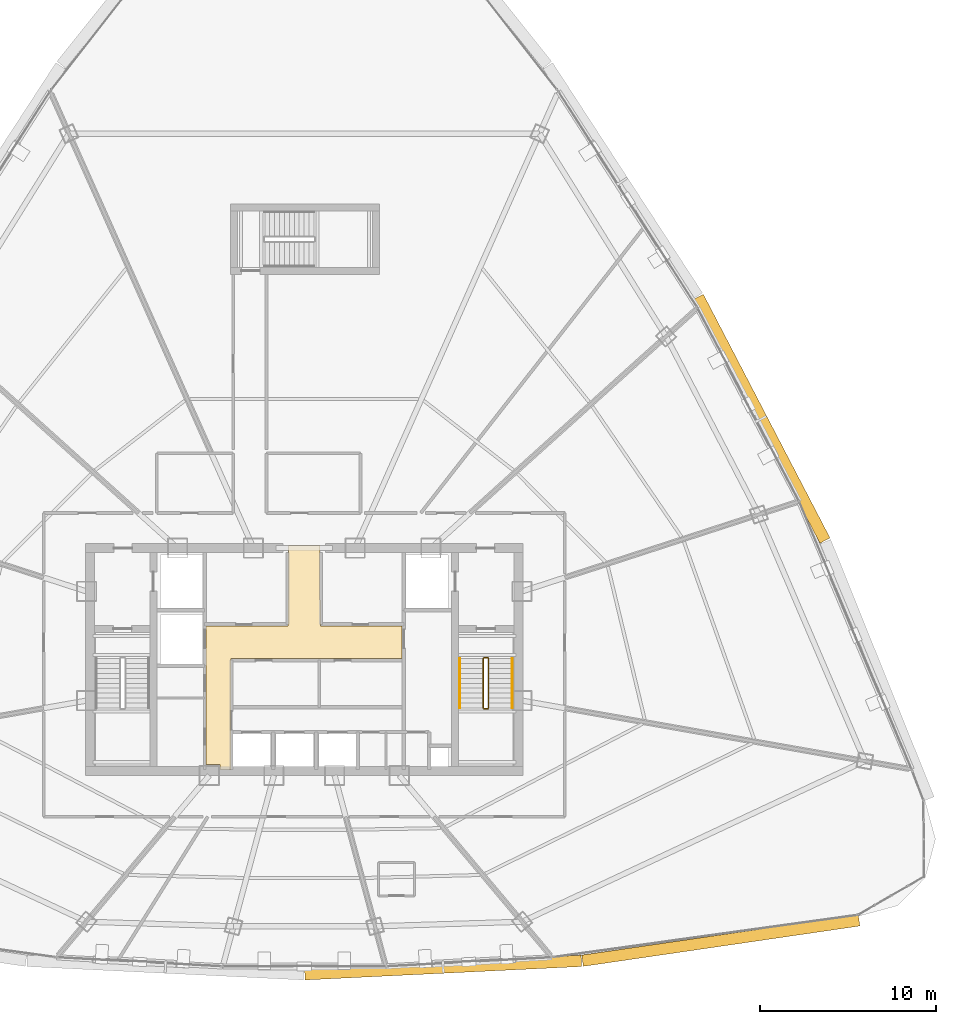
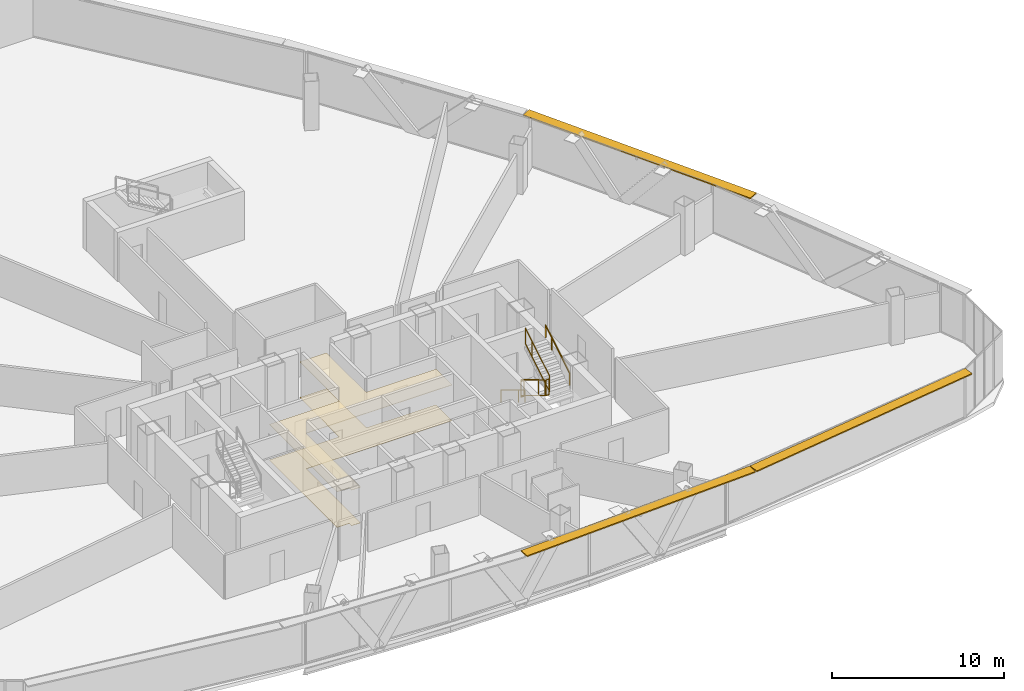
# One storey, part 34 of 36: 6 railings, 3 shading devices, 2 coverings.
"""IFC4 building model written with IfcOpenShell, lengths in metres."""

from ifc_helpers import new_model, si_unit, direction, frame, origin, origin_2d, place, context, subcontext, project, spatial, polyline, rectangle, outline, extrude, source, transform, mapped, material, layer, layer_set, type_object, element, save


model = new_model("IFC4")

# Units and contexts
model_context = context("Model", 3, precision=1e-05, world=origin(), true_north=direction((0.0, 1.0)))
body_context = subcontext(model_context, "Body", "Model", "MODEL_VIEW")
ifc_project = project(units=[si_unit("LENGTHUNIT", "METRE"), si_unit("AREAUNIT", "SQUARE_METRE"), si_unit("VOLUMEUNIT", "CUBIC_METRE"), si_unit("PLANEANGLEUNIT", "RADIAN"), si_unit("MASSUNIT", "GRAM", prefix="KILO"), si_unit("THERMODYNAMICTEMPERATUREUNIT", "KELVIN"), si_unit("POWERUNIT", "WATT")], contexts=[model_context])

# Site, building, storey
site_placement = place(None, origin())
site = spatial("IfcSite", under=ifc_project, at=site_placement, CompositionType="ELEMENT")
building_placement = place(site_placement, origin())
building = spatial("IfcBuilding", under=site, at=building_placement, Name="Yunzhuo Pagoda Commons", CompositionType="ELEMENT")
storey_placement = place(building_placement, frame((0.0, 0.0, 248.260009765625)))
storey = spatial("IfcBuildingStorey", under=building, at=storey_placement, Name="L62", CompositionType="ELEMENT", Elevation=248.260009765625)

# Coverings
ifc_material_1 = material(Name="Perforated gypsum acoustic ceiling tile")
ifc_layer_1 = layer(ifc_material_1, 0.030029296875)
ifc_layer_set_1 = layer_set([ifc_layer_1], Name="Perforated gypsum acoustic ceiling tile")
covering_type_1 = type_object("IfcCoveringType", Name="COV-CL2 Ceiling 30", PredefinedType="CEILING", material=ifc_layer_set_1)
covering_1_placement = place(storey_placement, frame((0.0, 0.0, 2.52001953125)))
element("IfcCovering", 1, at=covering_1_placement, inside=storey, type_object=covering_type_1, Name="L62 lift lobby acoustic ceiling", PredefinedType="CEILING", context=body_context, shape_type="SweptSolid", body=[
    extrude(outline(polyline([(42.39990234375, 35.75), (47.080078125, 35.75), (47.080078125, 37.25), (47.10009765625, 37.25), (47.10009765625, 40.35009765625), (48.89990234375, 40.35009765625), (48.89990234375, 37.25), (48.919921875, 37.25), (48.919921875, 35.75), (53.580078125, 35.75), (53.580078125, 33.89990234375), (43.820068359375, 33.89990234375), (43.820068359375, 27.60009765625), (43.207763671875, 27.60009765625), (43.207763671875, 27.85009765625), (43.201904296875, 27.864013671875), (43.187744140625, 27.8701171875), (42.39990234375, 27.8701171875), (42.39990234375, 33.89990234375), (42.39990234375, 35.75)])), origin(), (0.0, 0.0, 1.0), 0.030029296875),
])
ifc_material_2 = material(Name="Resilient acoustic studio flooring")
ifc_layer_2 = layer(ifc_material_2, 0.01806640625)
ifc_layer_set_2 = layer_set([ifc_layer_2], Name="Resilient acoustic studio flooring")
covering_type_2 = type_object("IfcCoveringType", Name="COV-FL3 Flooring 18", PredefinedType="FLOORING", material=ifc_layer_set_2)
covering_2_placement = place(storey_placement, origin())
element("IfcCovering", 2, at=covering_2_placement, inside=storey, type_object=covering_type_2, Name="L62 lift lobby flooring", PredefinedType="FLOORING", context=body_context, shape_type="SweptSolid", body=[
    extrude(outline(polyline([(42.39990234375, 35.75), (47.080078125, 35.75), (47.080078125, 37.25), (47.10009765625, 37.25), (47.10009765625, 40.35009765625), (48.89990234375, 40.35009765625), (48.89990234375, 37.25), (48.919921875, 37.25), (48.919921875, 35.75), (53.580078125, 35.75), (53.580078125, 33.89990234375), (43.820068359375, 33.89990234375), (43.820068359375, 27.60009765625), (43.207763671875, 27.60009765625), (43.207763671875, 27.85009765625), (43.201904296875, 27.864013671875), (43.187744140625, 27.8701171875), (42.39990234375, 27.8701171875), (42.39990234375, 33.89990234375), (42.39990234375, 35.75)])), origin(), (0.0, 0.0, 1.0), 0.01806640625),
])

# Railings
ifc_material_3 = material(Name="Anodized aluminium 6063-T6", Category="aluminium")
railing_type_1 = type_object("IfcRailingType", Name="GR-ST2 Stair Well Guardrail 1160", PredefinedType="GUARDRAIL", material=ifc_material_3)
railing_1_placement = place(storey_placement, frame((58.199951171875, 33.89990234375, 0.16943359375)))
element("IfcRailing", 3, at=railing_1_placement, inside=storey, type_object=railing_type_1, Name="L62 ST2 stair guard 1", PredefinedType="GUARDRAIL", context=body_context, shape_type="SweptSolid", body=[
    extrude(rectangle(XDim=0.048095703125, YDim=0.048095703125, at=origin_2d()), frame((0.0, 0.0, 1.1259765625), z_axis=(0.0, -0.855373106579, 0.518012401918), x_axis=(1.0, 0.0, 0.0)), (0.0, 0.0, 1.0), 3.273193359375),
    extrude(rectangle(XDim=0.048095703125, YDim=0.048095703125, at=origin_2d()), frame((0.0, 0.0, 0.02392578125), z_axis=(0.0, -0.855373106579, 0.518012401918), x_axis=(1.0, 0.0, 0.0)), (0.0, 0.0, 1.0), 3.273193359375),
    extrude(rectangle(XDim=0.0419921875, YDim=0.0419921875, at=origin_2d()), origin(), (0.0, 0.0, 1.0), 1.101806640625),
    extrude(rectangle(XDim=0.0419921875, YDim=0.0419921875, at=origin_2d()), frame((0.0, -2.052978515625, 1.2431640625)), (0.0, 0.0, 1.0), 1.101806640625),
    extrude(rectangle(XDim=0.0419921875, YDim=0.0419921875, at=origin_2d()), frame((0.0, -2.7998046875, 1.695556640625)), (0.0, 0.0, 1.0), 1.101806640625),
])
railing_2_placement = place(storey_placement, frame((58.25, 31.050048828125, 1.864990234375)))
element("IfcRailing", 4, at=railing_2_placement, inside=storey, type_object=railing_type_1, Name="L62 ST2 stair guard 2", PredefinedType="GUARDRAIL", context=body_context, shape_type="SweptSolid", body=[
    extrude(rectangle(XDim=0.048095703125, YDim=0.048095703125, at=origin_2d()), frame((0.0, 0.0, 1.1259765625), z_axis=(1.0, 0.0, 0.0), x_axis=(0.0, 1.0, 0.0)), (0.0, 0.0, 1.0), 0.199951171875),
    extrude(rectangle(XDim=0.048095703125, YDim=0.048095703125, at=origin_2d()), frame((0.0, 0.0, 0.02392578125), z_axis=(1.0, 0.0, 0.0), x_axis=(0.0, 1.0, 0.0)), (0.0, 0.0, 1.0), 0.199951171875),
    extrude(rectangle(XDim=0.0419921875, YDim=0.0419921875, at=origin_2d()), origin(), (0.0, 0.0, 1.0), 1.101806640625),
    extrude(rectangle(XDim=0.0419921875, YDim=0.0419921875, at=origin_2d()), frame((0.199951171875, 0.0, 0.0)), (0.0, 0.0, 1.0), 1.101806640625),
])
railing_3_placement = place(storey_placement, frame((58.5, 31.10009765625, 2.034423828125)))
element("IfcRailing", 5, at=railing_3_placement, inside=storey, type_object=railing_type_1, Name="L62 ST2 stair guard 3", PredefinedType="GUARDRAIL", context=body_context, shape_type="SweptSolid", body=[
    extrude(rectangle(XDim=0.048095703125, YDim=0.048095703125, at=origin_2d()), frame((0.0, 0.0, 1.1259765625), z_axis=(0.0, 0.855373106579, 0.518012401918), x_axis=(-1.0, 0.0, 0.0)), (0.0, 0.0, 1.0), 3.273193359375),
    extrude(rectangle(XDim=0.048095703125, YDim=0.048095703125, at=origin_2d()), frame((0.0, 0.0, 0.02392578125), z_axis=(0.0, 0.855373106579, 0.518012401918), x_axis=(-1.0, 0.0, 0.0)), (0.0, 0.0, 1.0), 3.273193359375),
    extrude(rectangle(XDim=0.0419921875, YDim=0.0419921875, at=origin_2d()), origin(), (0.0, 0.0, 1.0), 1.101806640625),
    extrude(rectangle(XDim=0.0419921875, YDim=0.0419921875, at=origin_2d()), frame((0.0, 2.052978515625, 1.2431640625)), (0.0, 0.0, 1.0), 1.101806640625),
    extrude(rectangle(XDim=0.0419921875, YDim=0.0419921875, at=origin_2d()), frame((0.0, 2.7998046875, 1.695556640625)), (0.0, 0.0, 1.0), 1.101806640625),
])
railing_4_placement = place(storey_placement, frame((58.25, 33.949951171875, 0.0)))
element("IfcRailing", 6, at=railing_4_placement, inside=storey, type_object=railing_type_1, Name="L62 ST2 stair guard 4", PredefinedType="GUARDRAIL", context=body_context, shape_type="SweptSolid", body=[
    extrude(rectangle(XDim=0.048095703125, YDim=0.048095703125, at=origin_2d()), frame((0.0, 0.0, 1.1259765625), z_axis=(1.0, 0.0, 0.0), x_axis=(0.0, 1.0, 0.0)), (0.0, 0.0, 1.0), 0.199951171875),
    extrude(rectangle(XDim=0.048095703125, YDim=0.048095703125, at=origin_2d()), frame((0.0, 0.0, 0.02392578125), z_axis=(1.0, 0.0, 0.0), x_axis=(0.0, 1.0, 0.0)), (0.0, 0.0, 1.0), 0.199951171875),
    extrude(rectangle(XDim=0.0419921875, YDim=0.0419921875, at=origin_2d()), origin(), (0.0, 0.0, 1.0), 1.101806640625),
    extrude(rectangle(XDim=0.0419921875, YDim=0.0419921875, at=origin_2d()), frame((0.199951171875, 0.0, 0.0)), (0.0, 0.0, 1.0), 1.101806640625),
])
railing_type_2 = type_object("IfcRailingType", Name="HR-ST2 Stair Handrail 900", PredefinedType="HANDRAIL", material=ifc_material_3)
railing_5_placement = place(storey_placement, frame((56.85009765625, 33.89990234375, 0.16943359375)))
element("IfcRailing", 7, at=railing_5_placement, inside=storey, type_object=railing_type_2, Name="L62 ST2 stair handrail 1", PredefinedType="HANDRAIL", context=body_context, shape_type="SweptSolid", body=[
    extrude(rectangle(XDim=0.048095703125, YDim=0.048095703125, at=origin_2d()), frame((0.0, 0.0, 0.8759765625), z_axis=(0.0, -0.855373106579, 0.518012401918), x_axis=(1.0, 0.0, 0.0)), (0.0, 0.0, 1.0), 3.273193359375),
    extrude(rectangle(XDim=0.0419921875, YDim=0.0419921875, at=origin_2d()), origin(), (0.0, 0.0, 1.0), 0.851806640625),
    extrude(rectangle(XDim=0.0419921875, YDim=0.0419921875, at=origin_2d()), frame((0.0, -2.052978515625, 1.2431640625)), (0.0, 0.0, 1.0), 0.851806640625),
    extrude(rectangle(XDim=0.0419921875, YDim=0.0419921875, at=origin_2d()), frame((0.0, -2.7998046875, 1.695556640625)), (0.0, 0.0, 1.0), 0.851806640625),
])
railing_6_placement = place(storey_placement, frame((59.85009765625, 31.10009765625, 2.034423828125)))
element("IfcRailing", 8, at=railing_6_placement, inside=storey, type_object=railing_type_2, Name="L62 ST2 stair handrail 2", PredefinedType="HANDRAIL", context=body_context, shape_type="SweptSolid", body=[
    extrude(rectangle(XDim=0.048095703125, YDim=0.048095703125, at=origin_2d()), frame((0.0, 0.0, 0.8759765625), z_axis=(0.0, 0.855373106579, 0.518012401918), x_axis=(-1.0, 0.0, 0.0)), (0.0, 0.0, 1.0), 3.273193359375),
    extrude(rectangle(XDim=0.0419921875, YDim=0.0419921875, at=origin_2d()), origin(), (0.0, 0.0, 1.0), 0.851806640625),
    extrude(rectangle(XDim=0.0419921875, YDim=0.0419921875, at=origin_2d()), frame((0.0, 2.052978515625, 1.2431640625)), (0.0, 0.0, 1.0), 0.851806640625),
    extrude(rectangle(XDim=0.0419921875, YDim=0.0419921875, at=origin_2d()), frame((0.0, 2.7998046875, 1.695556640625)), (0.0, 0.0, 1.0), 0.851806640625),
])

# Shading devices
ifc_layer_3 = layer(ifc_material_3, 0.080078125)
ifc_layer_set_3 = layer_set([ifc_layer_3], Name="Anodized aluminium 6063-T6")
shading_device_type = type_object("IfcShadingDeviceType", Name="SH-SUN1 Pagoda Horizontal Sunshade Eave 650", PredefinedType="USERDEFINED", material=ifc_layer_set_3)
shared_shape_1 = source(origin(), body_context, "Body", "SweptSolid", [
    extrude(rectangle(XDim=15.924560546875, YDim=0.64990234375, at=origin_2d()), origin(), (0.0, 0.0, 1.0), 0.080078125),
])
shading_device_1_placement = place(storey_placement, frame((71.730224609375, 17.8427734375, 3.389892578125), z_axis=(0.0, 0.0, 1.0), x_axis=(0.989510666697, 0.144459823108, 0.0)))
element("IfcShadingDevice", 9, at=shading_device_1_placement, inside=storey, type_object=shading_device_type, Name="L62 horizontal pagoda sunshade eave F1.4", ObjectType="SUNSHADE", PredefinedType="USERDEFINED", context=body_context, shape_type="MappedRepresentation", body=[
    mapped(shared_shape_1, transform((0.0, 0.0, 0.0), scale=1.0)),
])
shared_shape_2 = source(origin(), body_context, "Body", "SweptSolid", [
    extrude(rectangle(XDim=15.77587890625, YDim=0.64990234375, at=origin_2d()), origin(), (0.0, 0.0, 1.0), 0.080078125),
])
shading_device_2_placement = place(storey_placement, frame((55.91015625, 16.302978515625, 3.389892578125), z_axis=(0.0, 0.0, 1.0), x_axis=(0.998818043775, 0.04860571396, 0.0)))
element("IfcShadingDevice", 10, at=shading_device_2_placement, inside=storey, type_object=shading_device_type, Name="L62 horizontal pagoda sunshade eave F1.3", ObjectType="SUNSHADE", PredefinedType="USERDEFINED", context=body_context, shape_type="MappedRepresentation", body=[
    mapped(shared_shape_2, transform((0.0, 0.0, 0.0), scale=1.0)),
])
shared_shape_3 = source(origin(), body_context, "Body", "SweptSolid", [
    extrude(rectangle(XDim=15.646484375, YDim=0.64990234375, at=origin_2d()), origin(), (0.0, 0.0, 1.0), 0.080078125),
])
shading_device_3_placement = place(storey_placement, frame((74.056396484375, 47.569091796875, 3.389892578125), z_axis=(0.0, 0.0, 1.0), x_axis=(-0.461206683033, 0.88729273384, 0.0)))
element("IfcShadingDevice", 11, at=shading_device_3_placement, inside=storey, type_object=shading_device_type, Name="L62 horizontal pagoda sunshade eave F2.2", ObjectType="SUNSHADE", PredefinedType="USERDEFINED", context=body_context, shape_type="MappedRepresentation", body=[
    mapped(shared_shape_3, transform((0.0, 0.0, 0.0), scale=1.0)),
])

save(model, "model.ifc")
